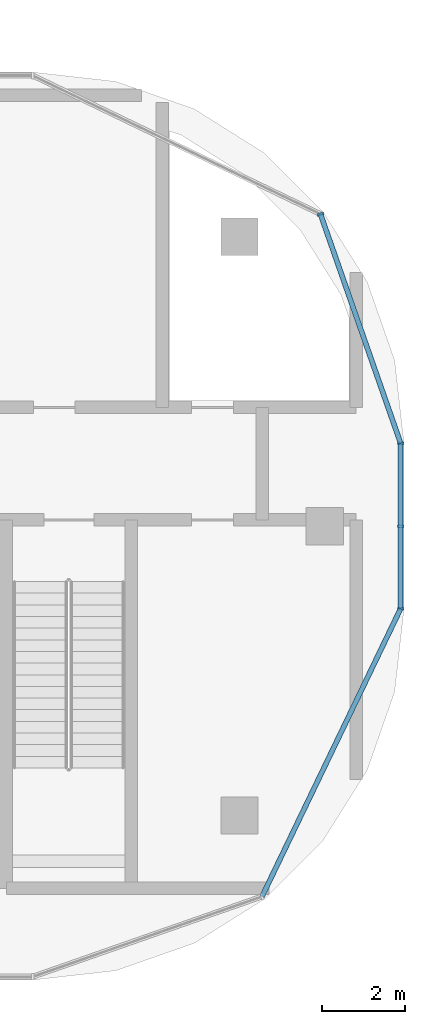
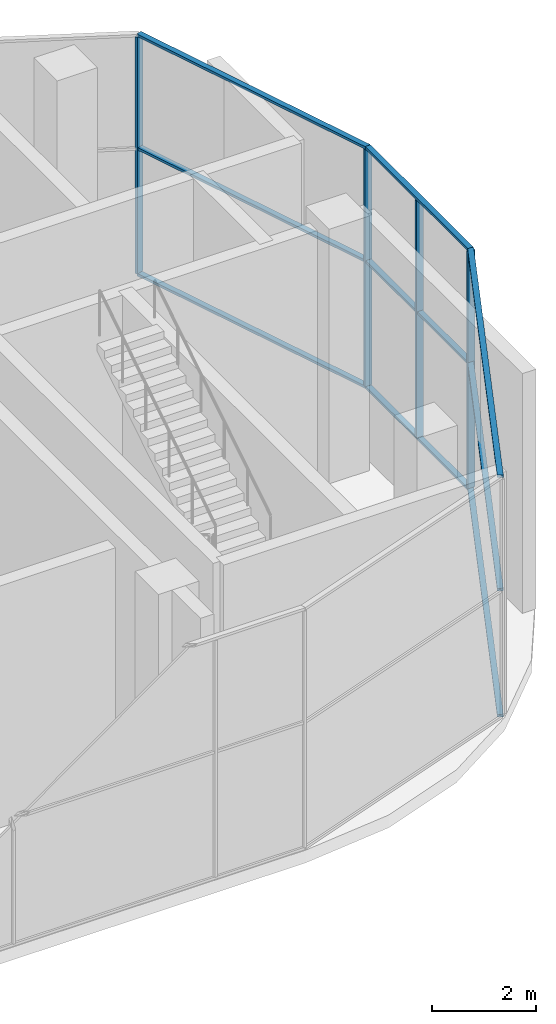
# One storey, part 11 of 19: 13 members, 3 elements without a shape of their own.
"""IFC4 building model written with IfcOpenShell, lengths in metres."""

from ifc_helpers import new_model, si_unit, direction, frame, origin, origin_2d, place, context, subcontext, project, spatial, rectangle, extrude, material, material_profile, profile_set, type_object, element, aggregate, save


model = new_model("IFC4")

# Units and contexts
model_context = context("Model", 3, precision=1e-05, world=origin(), true_north=direction((0.0, 1.0)))
body_context = subcontext(model_context, "Body", "Model", "MODEL_VIEW")
ifc_project = project(units=[si_unit("LENGTHUNIT", "METRE"), si_unit("AREAUNIT", "SQUARE_METRE"), si_unit("VOLUMEUNIT", "CUBIC_METRE"), si_unit("PLANEANGLEUNIT", "RADIAN"), si_unit("MASSUNIT", "GRAM", prefix="KILO")], contexts=[model_context])

# Site, building, storey
site_placement = place(None, origin())
site = spatial("IfcSite", under=ifc_project, at=site_placement, CompositionType="ELEMENT")
building_placement = place(site_placement, origin())
building = spatial("IfcBuilding", under=site, at=building_placement, Name="Ogive Portal Towers", CompositionType="ELEMENT")
storey_placement = place(building_placement, frame((0.0, 0.0, 254.89990234375)))
storey = spatial("IfcBuildingStorey", under=building, at=storey_placement, Name="L63", CompositionType="ELEMENT", Elevation=254.89990234375)

# Curtain wall, members
ifc_material_1 = material(Name="Glass, clear low-iron insulated glazing", Category="glass")
curtain_wall_type = type_object("IfcCurtainWallType", Name="CW OBSERVATION WALL", PredefinedType="NOTDEFINED", material=ifc_material_1)
curtain_wall_1_placement = place(storey_placement, origin())
curtain_wall_1 = element("IfcCurtainWall", 1, at=curtain_wall_1_placement, inside=storey, type_object=curtain_wall_type, Name="A:L63:f10:cw0", PredefinedType="NOTDEFINED")
ifc_material_2 = material(Name="Aluminium 6063 anodised", Category="aluminium")
ifc_material_profile_1 = material_profile(ifc_material_2, rectangle(XDim=0.159912109375, YDim=0.06005859375, at=origin_2d()), Name="AL 60x160")
ifc_profile_set_1 = profile_set([ifc_material_profile_1], Name="Aluminium 6063 anodised")
member_type_1 = type_object("IfcMemberType", Name="CW MULLION 60x160", PredefinedType="MULLION", material=ifc_profile_set_1)
member_1_placement = place(storey_placement, frame((96.320068359375, 28.518310546875, 0.06005859375), z_axis=(0.0, 0.0, 1.0), x_axis=(-1.0, 0.0, 0.0)))
member_1 = element("IfcMember", 2, at=member_1_placement, type_object=member_type_1, Name="mullion", PredefinedType="MULLION", context=body_context, shape_type="SweptSolid", body=[
    extrude(rectangle(XDim=0.159912109375, YDim=0.06005859375, at=origin_2d()), origin(), (0.0, 0.0, 1.0), 5.580078125),
])
member_2_placement = place(storey_placement, frame((96.320068359375, 30.5, 0.06005859375), z_axis=(0.0, 0.0, 1.0), x_axis=(-1.0, 0.0, 0.0)))
member_2 = element("IfcMember", 3, at=member_2_placement, type_object=member_type_1, Name="mullion", PredefinedType="MULLION", context=body_context, shape_type="SweptSolid", body=[
    extrude(rectangle(XDim=0.159912109375, YDim=0.06005859375, at=origin_2d()), origin(), (0.0, 0.0, 1.0), 5.580078125),
])
member_3_placement = place(storey_placement, frame((96.320068359375, 32.486328125, 0.06005859375), z_axis=(0.0, 0.0, 1.0), x_axis=(-1.0, 0.0, 0.0)))
member_3 = element("IfcMember", 4, at=member_3_placement, type_object=member_type_1, Name="mullion", PredefinedType="MULLION", context=body_context, shape_type="SweptSolid", body=[
    extrude(rectangle(XDim=0.159912109375, YDim=0.06005859375, at=origin_2d()), origin(), (0.0, 0.0, 1.0), 5.580078125),
])

# Curtain wall, member
curtain_wall_2_placement = place(storey_placement, origin())
curtain_wall_2 = element("IfcCurtainWall", 5, at=curtain_wall_2_placement, inside=storey, type_object=curtain_wall_type, Name="A:L63:f11:cwa", PredefinedType="NOTDEFINED")
member_4_placement = place(storey_placement, frame((94.393798828125, 37.991455078125, 0.06005859375), z_axis=(0.0, 0.0, 1.0), x_axis=(-0.943883330307, -0.33027906196, 0.0)))
member_4 = element("IfcMember", 6, at=member_4_placement, type_object=member_type_1, Name="mullion", PredefinedType="MULLION", context=body_context, shape_type="SweptSolid", body=[
    extrude(rectangle(XDim=0.159912109375, YDim=0.06005859375, at=origin_2d()), origin(), (0.0, 0.0, 1.0), 5.580078125),
])

# Member
ifc_material_profile_2 = material_profile(ifc_material_2, rectangle(XDim=0.1201171875, YDim=0.06005859375, at=origin_2d()), Name="AL 120x60")
ifc_profile_set_2 = profile_set([ifc_material_profile_2], Name="Aluminium 6063 anodised")
member_type_2 = type_object("IfcMemberType", Name="CW TRANSOM 60x120", PredefinedType="USERDEFINED", material=ifc_profile_set_2)
member_5_placement = place(storey_placement, frame((96.320068359375, 28.518310546875, 0.030029296875), z_axis=(0.0, 1.0, 0.0), x_axis=(-1.0, 0.0, 0.0)))
member_5 = element("IfcMember", 7, at=member_5_placement, type_object=member_type_2, Name="transom", ObjectType="TRANSOM", PredefinedType="USERDEFINED", context=body_context, shape_type="SweptSolid", body=[
    extrude(rectangle(XDim=0.1201171875, YDim=0.06005859375, at=origin_2d()), origin(), (0.0, 0.0, 1.0), 3.968017578125),
])

member_6_placement = place(storey_placement, frame((96.320068359375, 28.518310546875, 3.0), z_axis=(0.0, 1.0, 0.0), x_axis=(-1.0, 0.0, 0.0)))
member_6 = element("IfcMember", 8, at=member_6_placement, type_object=member_type_2, Name="transom", ObjectType="TRANSOM", PredefinedType="USERDEFINED", context=body_context, shape_type="SweptSolid", body=[
    extrude(rectangle(XDim=0.1201171875, YDim=0.06005859375, at=origin_2d()), origin(), (0.0, 0.0, 1.0), 3.968017578125),
])

member_7_placement = place(storey_placement, frame((96.320068359375, 28.518310546875, 5.670166015625), z_axis=(0.0, 1.0, 0.0), x_axis=(-1.0, 0.0, 0.0)))
member_7 = element("IfcMember", 9, at=member_7_placement, type_object=member_type_2, Name="transom", ObjectType="TRANSOM", PredefinedType="USERDEFINED", context=body_context, shape_type="SweptSolid", body=[
    extrude(rectangle(XDim=0.1201171875, YDim=0.06005859375, at=origin_2d()), origin(), (0.0, 0.0, 1.0), 3.968017578125),
])

aggregate(curtain_wall_1, [member_5, member_6, member_7, member_1, member_2, member_3])

# Curtain wall, members
curtain_wall_3_placement = place(storey_placement, origin())
curtain_wall_3 = element("IfcCurtainWall", 10, at=curtain_wall_3_placement, inside=storey, type_object=curtain_wall_type, Name="A:L63:f08:cwa", PredefinedType="NOTDEFINED")
member_8_placement = place(storey_placement, frame((92.991455078125, 21.606201171875, 0.030029296875), z_axis=(0.433874940462, 0.900973105059, 0.0), x_axis=(-0.900973105059, 0.433874940462, 0.0)))
member_8 = element("IfcMember", 11, at=member_8_placement, type_object=member_type_2, Name="transom", ObjectType="TRANSOM", PredefinedType="USERDEFINED", context=body_context, shape_type="SweptSolid", body=[
    extrude(rectangle(XDim=0.1201171875, YDim=0.06005859375, at=origin_2d()), origin(), (0.0, 0.0, 1.0), 7.671875),
])
member_9_placement = place(storey_placement, frame((92.991455078125, 21.606201171875, 3.0), z_axis=(0.433874940462, 0.900973105059, 0.0), x_axis=(-0.900973105059, 0.433874940462, 0.0)))
member_9 = element("IfcMember", 12, at=member_9_placement, type_object=member_type_2, Name="transom", ObjectType="TRANSOM", PredefinedType="USERDEFINED", context=body_context, shape_type="SweptSolid", body=[
    extrude(rectangle(XDim=0.1201171875, YDim=0.06005859375, at=origin_2d()), origin(), (0.0, 0.0, 1.0), 7.671875),
])
member_10_placement = place(storey_placement, frame((92.991455078125, 21.606201171875, 5.670166015625), z_axis=(0.433874940462, 0.900973105059, 0.0), x_axis=(-0.900973105059, 0.433874940462, 0.0)))
member_10 = element("IfcMember", 13, at=member_10_placement, type_object=member_type_2, Name="transom", ObjectType="TRANSOM", PredefinedType="USERDEFINED", context=body_context, shape_type="SweptSolid", body=[
    extrude(rectangle(XDim=0.1201171875, YDim=0.06005859375, at=origin_2d()), origin(), (0.0, 0.0, 1.0), 7.671875),
])
aggregate(curtain_wall_3, [member_8, member_9, member_10])

# Member
member_11_placement = place(storey_placement, frame((96.320068359375, 32.486328125, 0.030029296875), z_axis=(-0.330270247504, 0.943886414572, 0.0), x_axis=(-0.943886414572, -0.330270247504, 0.0)))
member_11 = element("IfcMember", 14, at=member_11_placement, type_object=member_type_2, Name="transom", ObjectType="TRANSOM", PredefinedType="USERDEFINED", context=body_context, shape_type="SweptSolid", body=[
    extrude(rectangle(XDim=0.1201171875, YDim=0.06005859375, at=origin_2d()), origin(), (0.0, 0.0, 1.0), 5.83251953125),
])

member_12_placement = place(storey_placement, frame((96.320068359375, 32.486328125, 3.0), z_axis=(-0.330270247504, 0.943886414572, 0.0), x_axis=(-0.943886414572, -0.330270247504, 0.0)))
member_12 = element("IfcMember", 15, at=member_12_placement, type_object=member_type_2, Name="transom", ObjectType="TRANSOM", PredefinedType="USERDEFINED", context=body_context, shape_type="SweptSolid", body=[
    extrude(rectangle(XDim=0.1201171875, YDim=0.06005859375, at=origin_2d()), origin(), (0.0, 0.0, 1.0), 5.83251953125),
])

member_13_placement = place(storey_placement, frame((96.320068359375, 32.486328125, 5.670166015625), z_axis=(-0.330270247504, 0.943886414572, 0.0), x_axis=(-0.943886414572, -0.330270247504, 0.0)))
member_13 = element("IfcMember", 16, at=member_13_placement, type_object=member_type_2, Name="transom", ObjectType="TRANSOM", PredefinedType="USERDEFINED", context=body_context, shape_type="SweptSolid", body=[
    extrude(rectangle(XDim=0.1201171875, YDim=0.06005859375, at=origin_2d()), origin(), (0.0, 0.0, 1.0), 5.83251953125),
])

aggregate(curtain_wall_2, [member_11, member_12, member_13, member_4])

save(model, "model.ifc")
